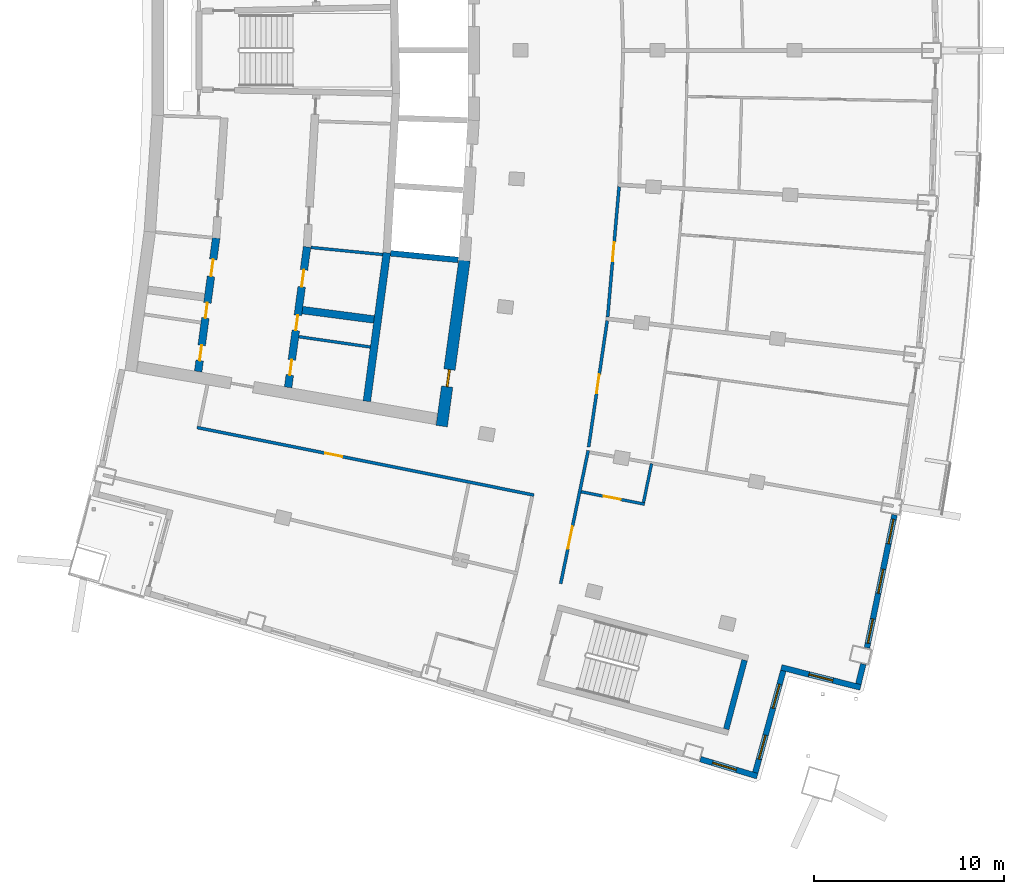
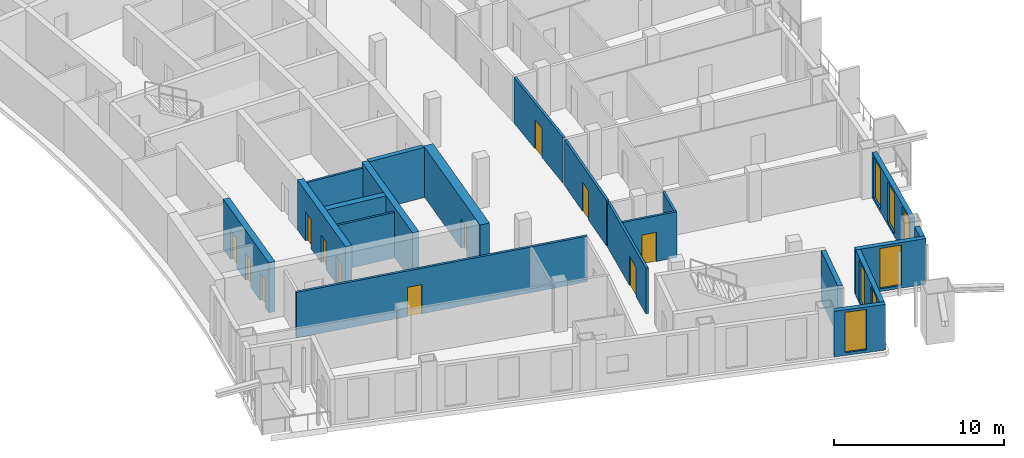
# One storey, part 10 of 19: 20 walls, 12 doors, 7 windows, 19 openings.
"""IFC4 building model written with IfcOpenShell, lengths in metres."""

from ifc_helpers import new_model, si_unit, direction, frame, frame_2d, origin, place, context, subcontext, project, spatial, rectangle, extrude, material, layer, layer_set, type_object, element, fill, save


model = new_model("IFC4")

# Units and contexts
model_context = context("Model", 3, precision=1e-05, world=origin(), true_north=direction((0.0, 1.0)))
body_context = subcontext(model_context, "Body", "Model", "MODEL_VIEW")
ifc_project = project(units=[si_unit("LENGTHUNIT", "METRE"), si_unit("AREAUNIT", "SQUARE_METRE"), si_unit("VOLUMEUNIT", "CUBIC_METRE"), si_unit("PLANEANGLEUNIT", "RADIAN"), si_unit("MASSUNIT", "GRAM", prefix="KILO")], contexts=[model_context])

# Site, building, storey
site_placement = place(None, origin())
site = spatial("IfcSite", under=ifc_project, at=site_placement, CompositionType="ELEMENT")
building_placement = place(site_placement, origin())
building = spatial("IfcBuilding", under=site, at=building_placement, Name="Alderwake Tower", CompositionType="ELEMENT")
storey_placement = place(building_placement, frame((0.0, 0.0, 228.800048828125)))
storey = spatial("IfcBuildingStorey", under=building, at=storey_placement, Name="L57", CompositionType="ELEMENT", Elevation=228.800048828125)

# Walls
ifc_material_1 = material(Name="Gypsum shaft wall system, rated")
ifc_layer_1 = layer(ifc_material_1, 0.14990234375)
ifc_layer_set_1 = layer_set([ifc_layer_1], Name="Core room partition 150")
wall_type_1 = type_object("IfcWallType", Name="Core room partition 150", PredefinedType="PARTITIONING", material=ifc_layer_set_1)
wall_1_placement = place(storey_placement, frame((24.158203125, 45.9560546875, 0.0), z_axis=(0.0, 0.0, 1.0), x_axis=(0.989724412664, -0.142988065858, 0.0)))
element("IfcWall", 1, at=wall_1_placement, inside=storey, type_object=wall_type_1, Name="CW/L57/PR-150_+86", PredefinedType="PARTITIONING", context=body_context, shape_type="SweptSolid", body=[
    extrude(rectangle(XDim=3.795654296875, YDim=0.14990234375, at=frame_2d((1.89794921875, 0.0))), origin(), (0.0, 0.0, 1.0), 3.280029296875),
])
wall_2_placement = place(storey_placement, frame((24.789794921875, 50.64501953125, 0.0), z_axis=(0.0, 0.0, 1.0), x_axis=(0.995153039802, -0.098338331148, 0.0)))
element("IfcWall", 2, at=wall_2_placement, inside=storey, type_object=wall_type_1, Name="CW/L57/PR-103_+86", PredefinedType="PARTITIONING", context=body_context, shape_type="SweptSolid", body=[
    extrude(rectangle(XDim=3.7958984375, YDim=0.14990234375, at=frame_2d((1.89794921875, 0.0))), origin(), (0.0, 0.0, 1.0), 3.280029296875),
])

# Wall, opening, door
ifc_material_2 = material(Name="Concrete C70/85", Category="concrete")
ifc_layer_2 = layer(ifc_material_2, 0.60009765625)
ifc_layer_set_2 = layer_set([ifc_layer_2], Name="Core wall outer 600 C70-85")
wall_type_2 = type_object("IfcWallType", Name="Core wall outer 600 C70-85", PredefinedType="SHEAR", material=ifc_layer_set_2)
wall_3_placement = place(storey_placement, frame((32.862548828125, 49.967529296875, 0.0), z_axis=(0.0, 0.0, 1.0), x_axis=(-0.135856583698, -0.990728514108, 0.0)))
wall_3 = element("IfcWall", 3, at=wall_3_placement, inside=storey, type_object=wall_type_2, Name="Core wall CW.017", PredefinedType="SHEAR", context=body_context, shape_type="SweptSolid", body=[
    extrude(rectangle(XDim=8.79296875, YDim=0.60009765625, at=frame_2d((4.396484375, 0.0))), origin(), (0.0, 0.0, 1.0), 3.599853515625),
])
opening_1_placement = place(wall_3_placement, frame((5.79541015625, 0.0, 0.0)))
opening_1 = element("IfcOpeningElement", 4, at=opening_1_placement, cuts=wall_3, Name="Opening C060", PredefinedType="OPENING", context=body_context, shape_type="SweptSolid", body=[
    extrude(rectangle(XDim=0.89990234375, YDim=2.10009765625, at=frame_2d((0.449951171875, 1.050048828125))), frame((0.0, 0.31005859375, 0.0), z_axis=(0.0, -1.0, 0.0), x_axis=(1.0, 0.0, 0.0)), (0.0, 0.0, 1.0), 0.6201171875),
])
ifc_material_3 = material(Name="Painted steel leaf", Category="steel")
door_type_1 = type_object("IfcDoorType", Name="Core room door 900", OperationType="SINGLE_SWING_LEFT", PredefinedType="DOOR", material=ifc_material_3)
door_1_placement = place(opening_1_placement, origin())
door_1 = element("IfcDoor", 5, at=door_1_placement, inside=storey, type_object=door_type_1, Name="Room door", OperationType="SINGLE_SWING_RIGHT", OverallHeight=2.10009765625, OverallWidth=0.89990234375, PredefinedType="DOOR", context=body_context, shape_type="SweptSolid", body=[
    extrude(rectangle(XDim=0.89990234375, YDim=2.10009765625, at=frame_2d((0.449951171875, 1.050048828125))), frame((0.0, 0.050048828125, 0.0), z_axis=(0.0, -1.0, 0.0), x_axis=(1.0, 0.0, 0.0)), (0.0, 0.0, 1.0), 0.10009765625),
])
fill(opening_1, door_1)

# Wall
ifc_material_4 = material(Name="Concrete C70/85", Category="concrete")
ifc_layer_3 = layer(ifc_material_4, 0.300048828125)
ifc_layer_set_3 = layer_set([ifc_layer_3], Name="Core wall shaft 300 C70-85")
wall_type_3 = type_object("IfcWallType", Name="Core wall shaft 300 C70-85", PredefinedType="SHEAR", material=ifc_layer_set_3)
wall_4_placement = place(storey_placement, frame((28.9794921875, 50.336181640625, 0.0), z_axis=(0.0, 0.0, 1.0), x_axis=(0.995246218868, -0.097390778977, 0.0)))
element("IfcWall", 6, at=wall_4_placement, inside=storey, type_object=wall_type_3, Name="Core wall CW.064", PredefinedType="SHEAR", context=body_context, shape_type="SweptSolid", body=[
    extrude(rectangle(XDim=3.56982421875, YDim=0.300048828125, at=frame_2d((1.784912109375, 0.0))), origin(), (0.0, 0.0, 1.0), 3.599853515625),
])

# Wall, openings, doors
ifc_material_5 = material(Name="Concrete C70/85", Category="concrete")
ifc_layer_4 = layer(ifc_material_5, 0.39990234375)
ifc_layer_set_4 = layer_set([ifc_layer_4], Name="Core wall spine 400 C70-85")
wall_type_4 = type_object("IfcWallType", Name="Core wall spine 400 C70-85", PredefinedType="SHEAR", material=ifc_layer_set_4)
wall_5_placement = place(storey_placement, frame((19.814697265625, 51.143798828125, 0.0), z_axis=(0.0, 0.0, 1.0), x_axis=(-0.133333838703, -0.991071181831, 0.0)))
wall_5 = element("IfcWall", 7, at=wall_5_placement, inside=storey, type_object=wall_type_4, Name="Core wall CW.033", PredefinedType="SHEAR", context=body_context, shape_type="SweptSolid", body=[
    extrude(rectangle(XDim=7.078857421875, YDim=0.39990234375, at=frame_2d((3.53955078125, 0.0))), origin(), (0.0, 0.0, 1.0), 3.599853515625),
])
opening_2_placement = place(wall_5_placement, frame((5.69677734375, 0.0, 0.0)))
opening_2 = element("IfcOpeningElement", 8, at=opening_2_placement, cuts=wall_5, Name="Opening C008", PredefinedType="OPENING", context=body_context, shape_type="SweptSolid", body=[
    extrude(rectangle(XDim=0.800048828125, YDim=2.0, at=frame_2d((0.39990234375, 1.0))), frame((0.0, 0.2099609375, 0.0), z_axis=(0.0, -1.0, 0.0), x_axis=(1.0, 0.0, 0.0)), (0.0, 0.0, 1.0), 0.419921875),
])
opening_3_placement = place(wall_5_placement, frame((3.443115234375, 0.0, 0.0)))
opening_3 = element("IfcOpeningElement", 9, at=opening_3_placement, cuts=wall_5, Name="Opening C012", PredefinedType="OPENING", context=body_context, shape_type="SweptSolid", body=[
    extrude(rectangle(XDim=0.800048828125, YDim=2.0, at=frame_2d((0.39990234375, 1.0))), frame((0.0, 0.2099609375, 0.0), z_axis=(0.0, -1.0, 0.0), x_axis=(1.0, 0.0, 0.0)), (0.0, 0.0, 1.0), 0.419921875),
])
opening_4_placement = place(wall_5_placement, frame((1.13916015625, 0.0, 0.0)))
opening_4 = element("IfcOpeningElement", 10, at=opening_4_placement, cuts=wall_5, Name="Opening C039", PredefinedType="OPENING", context=body_context, shape_type="SweptSolid", body=[
    extrude(rectangle(XDim=0.89990234375, YDim=2.10009765625, at=frame_2d((0.449951171875, 1.050048828125))), frame((0.0, 0.2099609375, 0.0), z_axis=(0.0, -1.0, 0.0), x_axis=(1.0, 0.0, 0.0)), (0.0, 0.0, 1.0), 0.419921875),
])
door_2_placement = place(opening_4_placement, origin())
door_2 = element("IfcDoor", 11, at=door_2_placement, inside=storey, type_object=door_type_1, Name="Room door", OperationType="SINGLE_SWING_LEFT", OverallHeight=2.10009765625, OverallWidth=0.89990234375, PredefinedType="DOOR", context=body_context, shape_type="SweptSolid", body=[
    extrude(rectangle(XDim=0.89990234375, YDim=2.10009765625, at=frame_2d((0.449951171875, 1.050048828125))), frame((0.0, 0.02490234375, 0.0), z_axis=(0.0, -1.0, 0.0), x_axis=(1.0, 0.0, 0.0)), (0.0, 0.0, 1.0), 0.050048828125),
])
fill(opening_4, door_2)
ifc_material_6 = material(Name="Painted steel leaf, rated", Category="steel")
door_type_2 = type_object("IfcDoorType", Name="Riser access door 800", OperationType="SINGLE_SWING_LEFT", PredefinedType="DOOR", material=ifc_material_6)
door_3_placement = place(opening_2_placement, origin())
door_3 = element("IfcDoor", 12, at=door_3_placement, inside=storey, type_object=door_type_2, Name="Riser access door", OperationType="SINGLE_SWING_LEFT", OverallHeight=2.0, OverallWidth=0.800048828125, PredefinedType="DOOR", context=body_context, shape_type="SweptSolid", body=[
    extrude(rectangle(XDim=0.800048828125, YDim=2.0, at=frame_2d((0.39990234375, 1.0))), frame((0.0, 0.02490234375, 0.0), z_axis=(0.0, -1.0, 0.0), x_axis=(1.0, 0.0, 0.0)), (0.0, 0.0, 1.0), 0.050048828125),
])
fill(opening_2, door_3)
door_4_placement = place(opening_3_placement, origin())
door_4 = element("IfcDoor", 13, at=door_4_placement, inside=storey, type_object=door_type_2, Name="Riser access door", OperationType="SINGLE_SWING_RIGHT", OverallHeight=2.0, OverallWidth=0.800048828125, PredefinedType="DOOR", context=body_context, shape_type="SweptSolid", body=[
    extrude(rectangle(XDim=0.800048828125, YDim=2.0, at=frame_2d((0.39990234375, 1.0))), frame((0.0, 0.02490234375, 0.0), z_axis=(0.0, -1.0, 0.0), x_axis=(1.0, 0.0, 0.0)), (0.0, 0.0, 1.0), 0.050048828125),
])
fill(opening_3, door_4)

wall_6_placement = place(storey_placement, frame((23.597412109375, 43.29248046875, 0.0), z_axis=(0.0, 0.0, 1.0), x_axis=(0.133499326361, 0.99104890387, 0.0)))
wall_6 = element("IfcWall", 14, at=wall_6_placement, inside=storey, type_object=wall_type_4, Name="Core wall CW.047", PredefinedType="SHEAR", context=body_context, shape_type="SweptSolid", body=[
    extrude(rectangle(XDim=7.44677734375, YDim=0.39990234375, at=frame_2d((3.723388671875, 0.0))), origin(), (0.0, 0.0, 1.0), 3.599853515625),
])
opening_5_placement = place(wall_6_placement, frame((0.65771484375, 0.0, 0.0)))
opening_5 = element("IfcOpeningElement", 15, at=opening_5_placement, cuts=wall_6, Name="Opening C015", PredefinedType="OPENING", context=body_context, shape_type="SweptSolid", body=[
    extrude(rectangle(XDim=0.800048828125, YDim=2.0, at=frame_2d((0.39990234375, 1.0))), frame((0.0, 0.2099609375, 0.0), z_axis=(0.0, -1.0, 0.0), x_axis=(1.0, 0.0, 0.0)), (0.0, 0.0, 1.0), 0.419921875),
])
opening_6_placement = place(wall_6_placement, frame((3.019287109375, 0.0, 0.0)))
opening_6 = element("IfcOpeningElement", 16, at=opening_6_placement, cuts=wall_6, Name="Opening C019", PredefinedType="OPENING", context=body_context, shape_type="SweptSolid", body=[
    extrude(rectangle(XDim=0.800048828125, YDim=2.0, at=frame_2d((0.39990234375, 1.0))), frame((0.0, 0.2099609375, 0.0), z_axis=(0.0, -1.0, 0.0), x_axis=(1.0, 0.0, 0.0)), (0.0, 0.0, 1.0), 0.419921875),
])
opening_7_placement = place(wall_6_placement, frame((5.331298828125, 0.0, 0.0)))
opening_7 = element("IfcOpeningElement", 17, at=opening_7_placement, cuts=wall_6, Name="Opening C045", PredefinedType="OPENING", context=body_context, shape_type="SweptSolid", body=[
    extrude(rectangle(XDim=0.89990234375, YDim=2.10009765625, at=frame_2d((0.449951171875, 1.050048828125))), frame((0.0, 0.2099609375, 0.0), z_axis=(0.0, -1.0, 0.0), x_axis=(1.0, 0.0, 0.0)), (0.0, 0.0, 1.0), 0.419921875),
])
door_5_placement = place(opening_7_placement, origin())
door_5 = element("IfcDoor", 18, at=door_5_placement, inside=storey, type_object=door_type_1, Name="Room door", OperationType="SINGLE_SWING_LEFT", OverallHeight=2.10009765625, OverallWidth=0.89990234375, PredefinedType="DOOR", context=body_context, shape_type="SweptSolid", body=[
    extrude(rectangle(XDim=0.89990234375, YDim=2.10009765625, at=frame_2d((0.449951171875, 1.050048828125))), frame((0.0, 0.02490234375, 0.0), z_axis=(0.0, -1.0, 0.0), x_axis=(1.0, 0.0, 0.0)), (0.0, 0.0, 1.0), 0.050048828125),
])
fill(opening_7, door_5)
door_6_placement = place(opening_5_placement, origin())
door_6 = element("IfcDoor", 19, at=door_6_placement, inside=storey, type_object=door_type_2, Name="Riser access door", OperationType="SINGLE_SWING_LEFT", OverallHeight=2.0, OverallWidth=0.800048828125, PredefinedType="DOOR", context=body_context, shape_type="SweptSolid", body=[
    extrude(rectangle(XDim=0.800048828125, YDim=2.0, at=frame_2d((0.39990234375, 1.0))), frame((0.0, 0.02490234375, 0.0), z_axis=(0.0, -1.0, 0.0), x_axis=(1.0, 0.0, 0.0)), (0.0, 0.0, 1.0), 0.050048828125),
])
fill(opening_5, door_6)
door_7_placement = place(opening_6_placement, origin())
door_7 = element("IfcDoor", 20, at=door_7_placement, inside=storey, type_object=door_type_2, Name="Riser access door", OperationType="SINGLE_SWING_RIGHT", OverallHeight=2.0, OverallWidth=0.800048828125, PredefinedType="DOOR", context=body_context, shape_type="SweptSolid", body=[
    extrude(rectangle(XDim=0.800048828125, YDim=2.0, at=frame_2d((0.39990234375, 1.0))), frame((0.0, 0.02490234375, 0.0), z_axis=(0.0, -1.0, 0.0), x_axis=(1.0, 0.0, 0.0)), (0.0, 0.0, 1.0), 0.050048828125),
])
fill(opening_6, door_7)

# Walls
wall_7_placement = place(storey_placement, frame((27.7333984375, 42.56103515625, 0.0), z_axis=(0.0, 0.0, 1.0), x_axis=(0.133132598714, 0.991098234869, 0.0)))
element("IfcWall", 21, at=wall_7_placement, inside=storey, type_object=wall_type_4, Name="Core wall CW.006", PredefinedType="SHEAR", context=body_context, shape_type="SweptSolid", body=[
    extrude(rectangle(XDim=7.87255859375, YDim=0.39990234375, at=frame_2d((3.936279296875, 0.0))), origin(), (0.0, 0.0, 1.0), 3.599853515625),
])
wall_8_placement = place(storey_placement, frame((24.34619140625, 47.352294921875, 0.0), z_axis=(0.0, 0.0, 1.0), x_axis=(0.991554071493, -0.129693960172, 0.0)))
element("IfcWall", 22, at=wall_8_placement, inside=storey, type_object=wall_type_4, Name="Core wall CW.069", PredefinedType="SHEAR", context=body_context, shape_type="SweptSolid", body=[
    extrude(rectangle(XDim=3.794921875, YDim=0.39990234375, at=frame_2d((1.8974609375, 0.0))), origin(), (0.0, 0.0, 1.0), 3.599853515625),
])
ifc_material_7 = material(Name="Concrete C70/85", Category="concrete")
ifc_layer_5 = layer(ifc_material_7, 0.300048828125)
ifc_layer_set_5 = layer_set([ifc_layer_5], Name="Core wall stair enclosure 300 C70-85")
wall_type_5 = type_object("IfcWallType", Name="Core wall stair enclosure 300 C70-85", PredefinedType="SHEAR", material=ifc_layer_set_5)
wall_9_placement = place(storey_placement, frame((46.6162109375, 25.334716796875, 0.0), z_axis=(0.0, 0.0, 1.0), x_axis=(0.257366821694, 0.966313778796, 0.0)))
element("IfcWall", 23, at=wall_9_placement, inside=storey, type_object=wall_type_5, Name="Core wall CW.085", PredefinedType="SHEAR", context=body_context, shape_type="SweptSolid", body=[
    extrude(rectangle(XDim=3.749755859375, YDim=0.300048828125, at=frame_2d((1.875, 0.0))), origin(), (0.0, 0.0, 1.0), 3.599853515625),
])

# Wall, opening, door
ifc_material_8 = material(Name="Gypsum board on metal studs, rated")
ifc_layer_6 = layer(ifc_material_8, 0.159912109375)
ifc_layer_set_6 = layer_set([ifc_layer_6], Name="Corridor wall 160")
wall_type_6 = type_object("IfcWallType", Name="Corridor wall 160", PredefinedType="PARTITIONING", material=ifc_layer_set_6)
wall_10_placement = place(storey_placement, frame((36.513427734375, 37.63427734375, 0.0), z_axis=(0.0, 0.0, 1.0), x_axis=(-0.980470254867, 0.1966674333, 0.0)))
wall_10 = element("IfcWall", 24, at=wall_10_placement, inside=storey, type_object=wall_type_6, Name="WL/L57/W12", PredefinedType="PARTITIONING", context=body_context, shape_type="SweptSolid", body=[
    extrude(rectangle(XDim=18.053466796875, YDim=0.159912109375, at=frame_2d((9.02685546875, 0.0))), origin(), (0.0, 0.0, 1.0), 3.280029296875),
])
opening_8_placement = place(wall_10_placement, frame((10.277099609375, 0.0, 0.0)))
opening_8 = element("IfcOpeningElement", 25, at=opening_8_placement, cuts=wall_10, Name="Opening R16-SBS1", PredefinedType="OPENING", context=body_context, shape_type="SweptSolid", body=[
    extrude(rectangle(XDim=0.89990234375, YDim=2.10009765625, at=frame_2d((0.449951171875, 1.050048828125))), frame((0.0, 0.08984375, 0.0), z_axis=(0.0, -1.0, 0.0), x_axis=(1.0, 0.0, 0.0)), (0.0, 0.0, 1.0), 0.179931640625),
])
ifc_material_9 = material(Name="Painted timber leaf", Category="wood")
door_type_3 = type_object("IfcDoorType", Name="Room door 900", OperationType="SINGLE_SWING_LEFT", PredefinedType="DOOR", material=ifc_material_9)
door_8_placement = place(opening_8_placement, origin())
door_8 = element("IfcDoor", 26, at=door_8_placement, inside=storey, type_object=door_type_3, Name="DR/L57/SBS1", OperationType="SINGLE_SWING_LEFT", OverallHeight=2.10009765625, OverallWidth=0.89990234375, PredefinedType="DOOR", context=body_context, shape_type="SweptSolid", body=[
    extrude(rectangle(XDim=0.89990234375, YDim=2.10009765625, at=frame_2d((0.449951171875, 1.050048828125))), frame((0.0, 0.02490234375, 0.0), z_axis=(0.0, -1.0, 0.0), x_axis=(1.0, 0.0, 0.0)), (0.0, 0.0, 1.0), 0.050048828125),
])
fill(opening_8, door_8)

wall_11_placement = place(storey_placement, frame((39.3642578125, 39.975341796875, 0.0), z_axis=(0.0, 0.0, 1.0), x_axis=(-0.202490391407, -0.979284249535, 0.0)))
wall_11 = element("IfcWall", 27, at=wall_11_placement, inside=storey, type_object=wall_type_6, Name="WL/L57/W22", PredefinedType="PARTITIONING", context=body_context, shape_type="SweptSolid", body=[
    extrude(rectangle(XDim=7.147216796875, YDim=0.159912109375, at=frame_2d((3.57373046875, 0.0))), origin(), (0.0, 0.0, 1.0), 3.280029296875),
])
opening_9_placement = place(wall_11_placement, frame((4.073486328125, 0.0, 0.0)))
opening_9 = element("IfcOpeningElement", 28, at=opening_9_placement, cuts=wall_11, Name="Opening R16-AM1.1", PredefinedType="OPENING", context=body_context, shape_type="SweptSolid", body=[
    extrude(rectangle(XDim=1.199951171875, YDim=2.10009765625, at=frame_2d((0.60009765625, 1.050048828125))), frame((0.0, 0.08984375, 0.0), z_axis=(0.0, -1.0, 0.0), x_axis=(1.0, 0.0, 0.0)), (0.0, 0.0, 1.0), 0.179931640625),
])
ifc_material_10 = material(Name="Steel-framed fire door leaf", Category="steel")
door_type_4 = type_object("IfcDoorType", Name="Lobby door 1200 fire-rated", OperationType="SINGLE_SWING_LEFT", PredefinedType="DOOR", material=ifc_material_10)
door_9_placement = place(opening_9_placement, origin())
door_9 = element("IfcDoor", 29, at=door_9_placement, inside=storey, type_object=door_type_4, Name="DR/L57/AM1.1", OperationType="SINGLE_SWING_LEFT", OverallHeight=2.10009765625, OverallWidth=1.199951171875, PredefinedType="DOOR", context=body_context, shape_type="SweptSolid", body=[
    extrude(rectangle(XDim=1.199951171875, YDim=2.10009765625, at=frame_2d((0.60009765625, 1.050048828125))), frame((0.0, 0.02490234375, 0.0), z_axis=(0.0, -1.0, 0.0), x_axis=(1.0, 0.0, 0.0)), (0.0, 0.0, 1.0), 0.050048828125),
])
fill(opening_9, door_9)

wall_12_placement = place(storey_placement, frame((40.3623046875, 46.7939453125, 0.0), z_axis=(0.0, 0.0, 1.0), x_axis=(-0.145513909196, -0.989356205939, 0.0)))
wall_12 = element("IfcWall", 30, at=wall_12_placement, inside=storey, type_object=wall_type_6, Name="WL/L57/W23", PredefinedType="PARTITIONING", context=body_context, shape_type="SweptSolid", body=[
    extrude(rectangle(XDim=6.704345703125, YDim=0.159912109375, at=frame_2d((3.35205078125, 0.0))), origin(), (0.0, 0.0, 1.0), 3.280029296875),
])
opening_10_placement = place(wall_12_placement, frame((2.852294921875, 0.0, 0.0)))
opening_10 = element("IfcOpeningElement", 31, at=opening_10_placement, cuts=wall_12, Name="Opening R16-U03.1", PredefinedType="OPENING", context=body_context, shape_type="SweptSolid", body=[
    extrude(rectangle(XDim=1.0, YDim=2.10009765625, at=frame_2d((0.5, 1.050048828125))), frame((0.0, 0.08984375, 0.0), z_axis=(0.0, -1.0, 0.0), x_axis=(1.0, 0.0, 0.0)), (0.0, 0.0, 1.0), 0.179931640625),
])
ifc_material_11 = material(Name="Solid timber leaf in steel frame", Category="steel")
door_type_5 = type_object("IfcDoorType", Name="Flat entrance door 1000 fire-rated", OperationType="SINGLE_SWING_LEFT", PredefinedType="DOOR", material=ifc_material_11)
door_10_placement = place(opening_10_placement, origin())
door_10 = element("IfcDoor", 32, at=door_10_placement, inside=storey, type_object=door_type_5, Name="DR/L57/U03.1", OperationType="SINGLE_SWING_LEFT", OverallHeight=2.10009765625, OverallWidth=1.0, PredefinedType="DOOR", context=body_context, shape_type="SweptSolid", body=[
    extrude(rectangle(XDim=1.0, YDim=2.10009765625, at=frame_2d((0.5, 1.050048828125))), frame((0.0, 0.02490234375, 0.0), z_axis=(0.0, -1.0, 0.0), x_axis=(1.0, 0.0, 0.0)), (0.0, 0.0, 1.0), 0.050048828125),
])
fill(opening_10, door_10)

wall_13_placement = place(storey_placement, frame((40.986328125, 53.834228515625, 0.0), z_axis=(0.0, 0.0, 1.0), x_axis=(-0.087448731147, -0.996169021512, 0.0)))
wall_13 = element("IfcWall", 33, at=wall_13_placement, inside=storey, type_object=wall_type_6, Name="WL/L57/W25", PredefinedType="PARTITIONING", context=body_context, shape_type="SweptSolid", body=[
    extrude(rectangle(XDim=6.867919921875, YDim=0.159912109375, at=frame_2d((3.43408203125, 0.0))), origin(), (0.0, 0.0, 1.0), 3.280029296875),
])
opening_11_placement = place(wall_13_placement, frame((2.93408203125, 0.0, 0.0)))
opening_11 = element("IfcOpeningElement", 34, at=opening_11_placement, cuts=wall_13, Name="Opening R16-U04.1", PredefinedType="OPENING", context=body_context, shape_type="SweptSolid", body=[
    extrude(rectangle(XDim=1.0, YDim=2.10009765625, at=frame_2d((0.5, 1.050048828125))), frame((0.0, 0.08984375, 0.0), z_axis=(0.0, -1.0, 0.0), x_axis=(1.0, 0.0, 0.0)), (0.0, 0.0, 1.0), 0.179931640625),
])
door_11_placement = place(opening_11_placement, origin())
door_11 = element("IfcDoor", 35, at=door_11_placement, inside=storey, type_object=door_type_5, Name="DR/L57/U04.1", OperationType="SINGLE_SWING_LEFT", OverallHeight=2.10009765625, OverallWidth=1.0, PredefinedType="DOOR", context=body_context, shape_type="SweptSolid", body=[
    extrude(rectangle(XDim=1.0, YDim=2.10009765625, at=frame_2d((0.5, 1.050048828125))), frame((0.0, 0.02490234375, 0.0), z_axis=(0.0, -1.0, 0.0), x_axis=(1.0, 0.0, 0.0)), (0.0, 0.0, 1.0), 0.050048828125),
])
fill(opening_11, door_11)

# Wall
ifc_material_12 = material(Name="Precast concrete C50/60 spandrel panel", Category="concrete")
ifc_layer_7 = layer(ifc_material_12, 0.300048828125)
ifc_layer_set_7 = layer_set([ifc_layer_7], Name="External wall EW1 Precast concrete C50/60 spandrel")
wall_type_7 = type_object("IfcWallType", Name="External wall EW1 Precast concrete C50/60 spandrel", PredefinedType="SOLIDWALL", material=ifc_layer_set_7)
wall_14_placement = place(storey_placement, frame((53.560546875, 27.70849609375, 0.0), z_axis=(0.0, 0.0, 1.0), x_axis=(0.238370874344, 0.971174199752, 0.0)))
element("IfcWall", 36, at=wall_14_placement, inside=storey, type_object=wall_type_7, Name="External wall 11", PredefinedType="SOLIDWALL", context=body_context, shape_type="SweptSolid", body=[
    extrude(rectangle(XDim=1.076416015625, YDim=0.300048828125, at=frame_2d((0.5380859375, 0.0))), origin(), (0.0, 0.0, 1.0), 3.280029296875),
])

# Wall, openings, windows
wall_15_placement = place(storey_placement, frame((54.010498046875, 29.6103515625, 0.0), z_axis=(0.0, 0.0, 1.0), x_axis=(0.202739139566, 0.979232781972, 0.0)))
wall_15 = element("IfcWall", 37, at=wall_15_placement, inside=storey, type_object=wall_type_7, Name="External wall 12", PredefinedType="SOLIDWALL", context=body_context, shape_type="SweptSolid", body=[
    extrude(rectangle(XDim=7.1337890625, YDim=0.300048828125, at=frame_2d((3.56689453125, 0.0))), origin(), (0.0, 0.0, 1.0), 3.280029296875),
])
opening_12_placement = place(wall_15_placement, frame((0.24560546875, 0.0, 0.199951171875)))
opening_12 = element("IfcOpeningElement", 38, at=opening_12_placement, cuts=wall_15, Name="Opening W1", PredefinedType="OPENING", context=body_context, shape_type="SweptSolid", body=[
    extrude(rectangle(XDim=1.300048828125, YDim=2.89990234375, at=frame_2d((0.64990234375, 1.449951171875))), frame((0.0, 0.159912109375, 0.0), z_axis=(0.0, -1.0, 0.0), x_axis=(1.0, 0.0, 0.0)), (0.0, 0.0, 1.0), 0.320068359375),
])
opening_13_placement = place(wall_15_placement, frame((2.916748046875, 0.0, 0.199951171875)))
opening_13 = element("IfcOpeningElement", 39, at=opening_13_placement, cuts=wall_15, Name="Opening W1", PredefinedType="OPENING", context=body_context, shape_type="SweptSolid", body=[
    extrude(rectangle(XDim=1.300048828125, YDim=2.89990234375, at=frame_2d((0.64990234375, 1.449951171875))), frame((0.0, 0.159912109375, 0.0), z_axis=(0.0, -1.0, 0.0), x_axis=(1.0, 0.0, 0.0)), (0.0, 0.0, 1.0), 0.320068359375),
])
opening_14_placement = place(wall_15_placement, frame((5.588134765625, 0.0, 0.199951171875)))
opening_14 = element("IfcOpeningElement", 40, at=opening_14_placement, cuts=wall_15, Name="Opening W1", PredefinedType="OPENING", context=body_context, shape_type="SweptSolid", body=[
    extrude(rectangle(XDim=1.300048828125, YDim=2.89990234375, at=frame_2d((0.64990234375, 1.449951171875))), frame((0.0, 0.159912109375, 0.0), z_axis=(0.0, -1.0, 0.0), x_axis=(1.0, 0.0, 0.0)), (0.0, 0.0, 1.0), 0.320068359375),
])
ifc_material_13 = material(Name="Bronze tinted glass in aluminium frame", Category="aluminium")
window_type = type_object("IfcWindowType", Name="Window W1 tall fixed and vent", PartitioningType="DOUBLE_PANEL_VERTICAL", PredefinedType="WINDOW", material=ifc_material_13)
window_1_placement = place(opening_12_placement, origin())
window_1 = element("IfcWindow", 41, at=window_1_placement, inside=storey, type_object=window_type, Name="Window W1 tall fixed and vent", OverallHeight=2.89990234375, OverallWidth=1.300048828125, PartitioningType="DOUBLE_PANEL_VERTICAL", PredefinedType="WINDOW", context=body_context, shape_type="SweptSolid", body=[
    extrude(rectangle(XDim=1.300048828125, YDim=2.89990234375, at=frame_2d((0.64990234375, 1.449951171875))), frame((0.0, 0.030029296875, 0.0), z_axis=(0.0, -1.0, 0.0), x_axis=(1.0, 0.0, 0.0)), (0.0, 0.0, 1.0), 0.06005859375),
])
fill(opening_12, window_1)
window_2_placement = place(opening_13_placement, origin())
window_2 = element("IfcWindow", 42, at=window_2_placement, inside=storey, type_object=window_type, Name="Window W1 tall fixed and vent", OverallHeight=2.89990234375, OverallWidth=1.300048828125, PartitioningType="DOUBLE_PANEL_VERTICAL", PredefinedType="WINDOW", context=body_context, shape_type="SweptSolid", body=[
    extrude(rectangle(XDim=1.300048828125, YDim=2.89990234375, at=frame_2d((0.64990234375, 1.449951171875))), frame((0.0, 0.030029296875, 0.0), z_axis=(0.0, -1.0, 0.0), x_axis=(1.0, 0.0, 0.0)), (0.0, 0.0, 1.0), 0.06005859375),
])
fill(opening_13, window_2)
window_3_placement = place(opening_14_placement, origin())
window_3 = element("IfcWindow", 43, at=window_3_placement, inside=storey, type_object=window_type, Name="Window W1 tall fixed and vent", OverallHeight=2.89990234375, OverallWidth=1.300048828125, PartitioningType="DOUBLE_PANEL_VERTICAL", PredefinedType="WINDOW", context=body_context, shape_type="SweptSolid", body=[
    extrude(rectangle(XDim=1.300048828125, YDim=2.89990234375, at=frame_2d((0.64990234375, 1.449951171875))), frame((0.0, 0.030029296875, 0.0), z_axis=(0.0, -1.0, 0.0), x_axis=(1.0, 0.0, 0.0)), (0.0, 0.0, 1.0), 0.06005859375),
])
fill(opening_14, window_3)

# Wall, opening, window
ifc_material_14 = material(Name="Bronze metal cladding on lightweight framing")
ifc_layer_8 = layer(ifc_material_14, 0.300048828125)
ifc_layer_set_8 = layer_set([ifc_layer_8], Name="External wall EW2 bronze metal cladding")
wall_type_8 = type_object("IfcWallType", Name="External wall EW2 bronze metal cladding", PredefinedType="SOLIDWALL", material=ifc_layer_set_8)
wall_16_placement = place(storey_placement, frame((45.257080078125, 23.759765625, 0.0), z_axis=(0.0, 0.0, 1.0), x_axis=(0.957772449087, -0.287527278305, 0.0)))
wall_16 = element("IfcWall", 44, at=wall_16_placement, inside=storey, type_object=wall_type_8, Name="External wall 8", PredefinedType="SOLIDWALL", context=body_context, shape_type="SweptSolid", body=[
    extrude(rectangle(XDim=3.121337890625, YDim=0.300048828125, at=frame_2d((1.560546875, 0.0))), origin(), (0.0, 0.0, 1.0), 3.280029296875),
])
opening_15_placement = place(wall_16_placement, frame((0.67236328125, 0.0, 0.199951171875)))
opening_15 = element("IfcOpeningElement", 45, at=opening_15_placement, cuts=wall_16, Name="Opening W1", PredefinedType="OPENING", context=body_context, shape_type="SweptSolid", body=[
    extrude(rectangle(XDim=1.300048828125, YDim=2.89990234375, at=frame_2d((0.64990234375, 1.449951171875))), frame((0.0, 0.159912109375, 0.0), z_axis=(0.0, -1.0, 0.0), x_axis=(1.0, 0.0, 0.0)), (0.0, 0.0, 1.0), 0.320068359375),
])
window_4_placement = place(opening_15_placement, origin())
window_4 = element("IfcWindow", 46, at=window_4_placement, inside=storey, type_object=window_type, Name="Window W1 tall fixed and vent", OverallHeight=2.89990234375, OverallWidth=1.300048828125, PartitioningType="DOUBLE_PANEL_VERTICAL", PredefinedType="WINDOW", context=body_context, shape_type="SweptSolid", body=[
    extrude(rectangle(XDim=1.300048828125, YDim=2.89990234375, at=frame_2d((0.64990234375, 1.449951171875))), frame((0.0, 0.030029296875, 0.0), z_axis=(0.0, -1.0, 0.0), x_axis=(1.0, 0.0, 0.0)), (0.0, 0.0, 1.0), 0.06005859375),
])
fill(opening_15, window_4)

# Wall, openings, windows
wall_17_placement = place(storey_placement, frame((48.142578125, 23.0498046875, 0.0), z_axis=(0.0, 0.0, 1.0), x_axis=(0.265098171891, 0.964221426468, 0.0)))
wall_17 = element("IfcWall", 47, at=wall_17_placement, inside=storey, type_object=wall_type_8, Name="External wall 9", PredefinedType="SOLIDWALL", context=body_context, shape_type="SweptSolid", body=[
    extrude(rectangle(XDim=5.546875, YDim=0.300048828125, at=frame_2d((2.7734375, 0.0))), origin(), (0.0, 0.0, 1.0), 3.280029296875),
])
opening_16_placement = place(wall_17_placement, frame((0.73681640625, 0.0, 0.199951171875)))
opening_16 = element("IfcOpeningElement", 48, at=opening_16_placement, cuts=wall_17, Name="Opening W1", PredefinedType="OPENING", context=body_context, shape_type="SweptSolid", body=[
    extrude(rectangle(XDim=1.300048828125, YDim=2.89990234375, at=frame_2d((0.64990234375, 1.449951171875))), frame((0.0, 0.159912109375, 0.0), z_axis=(0.0, -1.0, 0.0), x_axis=(1.0, 0.0, 0.0)), (0.0, 0.0, 1.0), 0.320068359375),
])
opening_17_placement = place(wall_17_placement, frame((3.510009765625, 0.0, 0.199951171875)))
opening_17 = element("IfcOpeningElement", 49, at=opening_17_placement, cuts=wall_17, Name="Opening W1", PredefinedType="OPENING", context=body_context, shape_type="SweptSolid", body=[
    extrude(rectangle(XDim=1.300048828125, YDim=2.89990234375, at=frame_2d((0.64990234375, 1.449951171875))), frame((0.0, 0.159912109375, 0.0), z_axis=(0.0, -1.0, 0.0), x_axis=(1.0, 0.0, 0.0)), (0.0, 0.0, 1.0), 0.320068359375),
])
window_5_placement = place(opening_16_placement, origin())
window_5 = element("IfcWindow", 50, at=window_5_placement, inside=storey, type_object=window_type, Name="Window W1 tall fixed and vent", OverallHeight=2.89990234375, OverallWidth=1.300048828125, PartitioningType="DOUBLE_PANEL_VERTICAL", PredefinedType="WINDOW", context=body_context, shape_type="SweptSolid", body=[
    extrude(rectangle(XDim=1.300048828125, YDim=2.89990234375, at=frame_2d((0.64990234375, 1.449951171875))), frame((0.0, 0.030029296875, 0.0), z_axis=(0.0, -1.0, 0.0), x_axis=(1.0, 0.0, 0.0)), (0.0, 0.0, 1.0), 0.06005859375),
])
fill(opening_16, window_5)
window_6_placement = place(opening_17_placement, origin())
window_6 = element("IfcWindow", 51, at=window_6_placement, inside=storey, type_object=window_type, Name="Window W1 tall fixed and vent", OverallHeight=2.89990234375, OverallWidth=1.300048828125, PartitioningType="DOUBLE_PANEL_VERTICAL", PredefinedType="WINDOW", context=body_context, shape_type="SweptSolid", body=[
    extrude(rectangle(XDim=1.300048828125, YDim=2.89990234375, at=frame_2d((0.64990234375, 1.449951171875))), frame((0.0, 0.030029296875, 0.0), z_axis=(0.0, -1.0, 0.0), x_axis=(1.0, 0.0, 0.0)), (0.0, 0.0, 1.0), 0.06005859375),
])
fill(opening_17, window_6)

# Wall, opening, window
wall_18_placement = place(storey_placement, frame((49.50732421875, 28.57958984375, 0.0), z_axis=(0.0, 0.0, 1.0), x_axis=(0.969429385377, -0.245370468408, 0.0)))
wall_18 = element("IfcWall", 52, at=wall_18_placement, inside=storey, type_object=wall_type_8, Name="External wall 10", PredefinedType="SOLIDWALL", context=body_context, shape_type="SweptSolid", body=[
    extrude(rectangle(XDim=4.29443359375, YDim=0.300048828125, at=frame_2d((2.147216796875, 0.0))), origin(), (0.0, 0.0, 1.0), 3.280029296875),
])
opening_18_placement = place(wall_18_placement, frame((1.4970703125, 0.0, 0.199951171875)))
opening_18 = element("IfcOpeningElement", 53, at=opening_18_placement, cuts=wall_18, Name="Opening W1", PredefinedType="OPENING", context=body_context, shape_type="SweptSolid", body=[
    extrude(rectangle(XDim=1.300048828125, YDim=2.89990234375, at=frame_2d((0.64990234375, 1.449951171875))), frame((0.0, 0.159912109375, 0.0), z_axis=(0.0, -1.0, 0.0), x_axis=(1.0, 0.0, 0.0)), (0.0, 0.0, 1.0), 0.320068359375),
])
window_7_placement = place(opening_18_placement, origin())
window_7 = element("IfcWindow", 54, at=window_7_placement, inside=storey, type_object=window_type, Name="Window W1 tall fixed and vent", OverallHeight=2.89990234375, OverallWidth=1.300048828125, PartitioningType="DOUBLE_PANEL_VERTICAL", PredefinedType="WINDOW", context=body_context, shape_type="SweptSolid", body=[
    extrude(rectangle(XDim=1.300048828125, YDim=2.89990234375, at=frame_2d((0.64990234375, 1.449951171875))), frame((0.0, 0.030029296875, 0.0), z_axis=(0.0, -1.0, 0.0), x_axis=(1.0, 0.0, 0.0)), (0.0, 0.0, 1.0), 0.06005859375),
])
fill(opening_18, window_7)

# Wall, opening, door
ifc_material_15 = material(Name="Gypsum shaft wall system, rated")
ifc_layer_9 = layer(ifc_material_15, 0.14990234375)
ifc_layer_set_9 = layer_set([ifc_layer_9], Name="Riser and shaft wall 150")
wall_type_9 = type_object("IfcWallType", Name="Riser and shaft wall 150", PredefinedType="PARTITIONING", material=ifc_layer_set_9)
wall_19_placement = place(storey_placement, frame((38.99755859375, 37.8056640625, 0.0), z_axis=(0.0, 0.0, 1.0), x_axis=(0.981480367208, -0.191562754169, 0.0)))
wall_19 = element("IfcWall", 55, at=wall_19_placement, inside=storey, type_object=wall_type_9, Name="WL/L57/W08", PredefinedType="PARTITIONING", context=body_context, shape_type="SweptSolid", body=[
    extrude(rectangle(XDim=3.393798828125, YDim=0.14990234375, at=frame_2d((1.69677734375, 0.0))), origin(), (0.0, 0.0, 1.0), 3.280029296875),
])
opening_19_placement = place(wall_19_placement, frame((1.209228515625, 0.0, 0.0)))
opening_19 = element("IfcOpeningElement", 56, at=opening_19_placement, cuts=wall_19, Name="Opening R16-AM1.2", PredefinedType="OPENING", context=body_context, shape_type="SweptSolid", body=[
    extrude(rectangle(XDim=0.89990234375, YDim=2.10009765625, at=frame_2d((0.449951171875, 1.050048828125))), frame((0.0, 0.0849609375, 0.0), z_axis=(0.0, -1.0, 0.0), x_axis=(1.0, 0.0, 0.0)), (0.0, 0.0, 1.0), 0.169921875),
])
door_12_placement = place(opening_19_placement, origin())
door_12 = element("IfcDoor", 57, at=door_12_placement, inside=storey, type_object=door_type_3, Name="DR/L57/AM1.2", OperationType="SINGLE_SWING_LEFT", OverallHeight=2.10009765625, OverallWidth=0.89990234375, PredefinedType="DOOR", context=body_context, shape_type="SweptSolid", body=[
    extrude(rectangle(XDim=0.89990234375, YDim=2.10009765625, at=frame_2d((0.449951171875, 1.050048828125))), frame((0.0, 0.02490234375, 0.0), z_axis=(0.0, -1.0, 0.0), x_axis=(1.0, 0.0, 0.0)), (0.0, 0.0, 1.0), 0.050048828125),
])
fill(opening_19, door_12)

# Wall
wall_20_placement = place(storey_placement, frame((42.270263671875, 37.243408203125, 0.0), z_axis=(0.0, 0.0, 1.0), x_axis=(0.202121820066, 0.979360388138, 0.0)))
element("IfcWall", 58, at=wall_20_placement, inside=storey, type_object=wall_type_9, Name="WL/L57/W09", PredefinedType="PARTITIONING", context=body_context, shape_type="SweptSolid", body=[
    extrude(rectangle(XDim=2.0859375, YDim=0.14990234375, at=frame_2d((1.04296875, 0.0))), origin(), (0.0, 0.0, 1.0), 3.280029296875),
])

save(model, "model.ifc")
